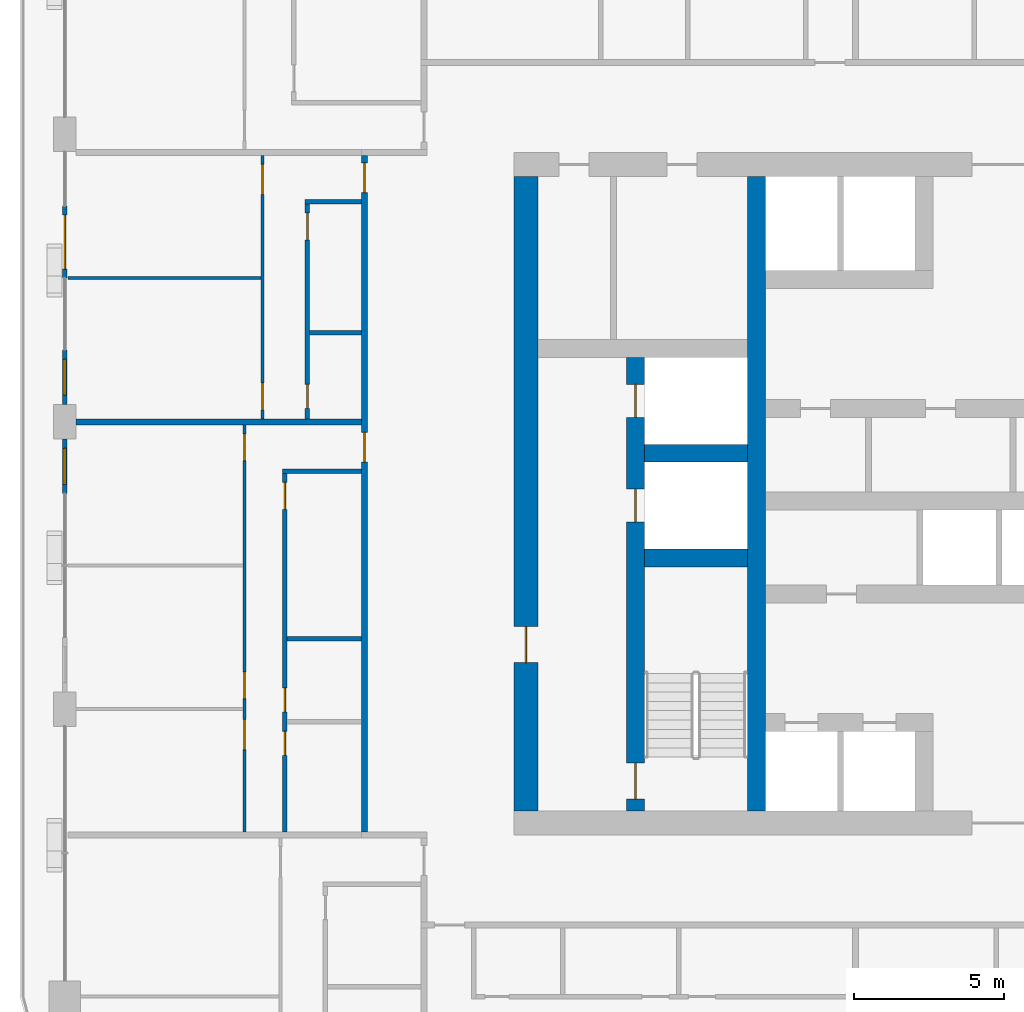
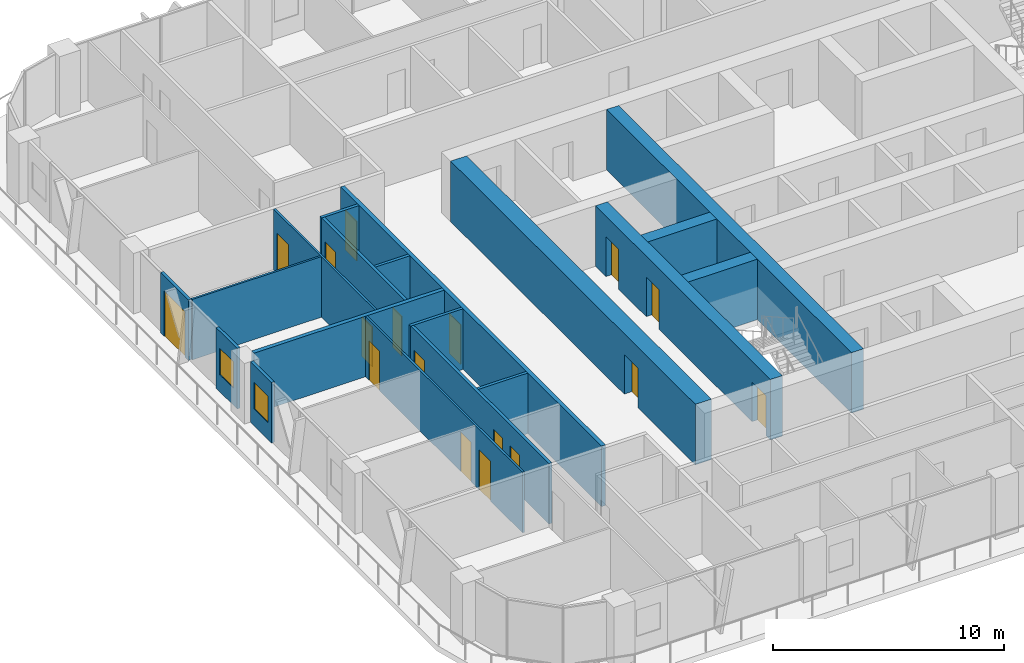
# One storey, part 10 of 22: 19 walls, 17 doors, 2 windows, 19 openings.
"""IFC4 building model written with IfcOpenShell, lengths in metres."""

from ifc_helpers import new_model, si_unit, direction, frame, frame_2d, origin, place, context, subcontext, project, spatial, rectangle, extrude, material, layer, layer_set, type_object, element, fill, save


model = new_model("IFC4")

# Units and contexts
model_context = context("Model", 3, precision=1e-05, world=origin(), true_north=direction((0.0, 1.0)))
body_context = subcontext(model_context, "Body", "Model", "MODEL_VIEW")
ifc_project = project(units=[si_unit("LENGTHUNIT", "METRE"), si_unit("AREAUNIT", "SQUARE_METRE"), si_unit("VOLUMEUNIT", "CUBIC_METRE"), si_unit("PLANEANGLEUNIT", "RADIAN"), si_unit("MASSUNIT", "GRAM", prefix="KILO")], contexts=[model_context])

# Site, building, storey
site_placement = place(None, origin())
site = spatial("IfcSite", under=ifc_project, at=site_placement, CompositionType="ELEMENT")
building_placement = place(site_placement, origin())
building = spatial("IfcBuilding", under=site, at=building_placement, Name="Madar Terraces", CompositionType="ELEMENT")
storey_placement = place(building_placement, frame((0.0, 0.0, 126.10009765625)))
storey = spatial("IfcBuildingStorey", under=building, at=storey_placement, Name="L32", CompositionType="ELEMENT", Elevation=126.10009765625)

# Wall, openings, doors
ifc_material_1 = material(Name="Concrete C70/85", Category="concrete")
ifc_layer_1 = layer(ifc_material_1, 0.60009765625)
ifc_layer_set_1 = layer_set([ifc_layer_1], Name="Concrete C70/85 (CIW3 RC wall 600)")
wall_type_1 = type_object("IfcWallType", Name="CIW3 RC wall 600", PredefinedType="SHEAR", material=ifc_layer_set_1)
wall_1_placement = place(storey_placement, frame((19.050048828125, 15.800048828125, 0.0), z_axis=(0.0, 0.0, 1.0), x_axis=(0.0, 1.0, 0.0)))
wall_1 = element("IfcWall", 1, at=wall_1_placement, inside=storey, type_object=wall_type_1, Name="CORE SHAFT WALL", PredefinedType="SHEAR", context=body_context, shape_type="SweptSolid", body=[
    extrude(rectangle(XDim=15.14990234375, YDim=0.60009765625, at=frame_2d((7.574951171875, 0.0))), origin(), (0.0, 0.0, 1.0), 3.199951171875),
])
opening_1_placement = place(wall_1_placement, frame((9.64990234375, 0.0, 0.0)))
opening_1 = element("IfcOpeningElement", 2, at=opening_1_placement, cuts=wall_1, Name="Opening LD", PredefinedType="OPENING", context=body_context, shape_type="SweptSolid", body=[
    extrude(rectangle(XDim=1.10009765625, YDim=2.10009765625, at=frame_2d((0.550048828125, 1.050048828125))), frame((0.0, 0.31005859375, 0.0), z_axis=(0.0, -1.0, 0.0), x_axis=(1.0, 0.0, 0.0)), (0.0, 0.0, 1.0), 0.6201171875),
])
opening_2_placement = place(wall_1_placement, frame((13.14990234375, 0.0, 0.0)))
opening_2 = element("IfcOpeningElement", 3, at=opening_2_placement, cuts=wall_1, Name="Opening LD", PredefinedType="OPENING", context=body_context, shape_type="SweptSolid", body=[
    extrude(rectangle(XDim=1.10009765625, YDim=2.10009765625, at=frame_2d((0.550048828125, 1.050048828125))), frame((0.0, 0.31005859375, 0.0), z_axis=(0.0, -1.0, 0.0), x_axis=(1.0, 0.0, 0.0)), (0.0, 0.0, 1.0), 0.6201171875),
])
opening_3_placement = place(wall_1_placement, frame((0.39990234375, 0.0, 0.0)))
opening_3 = element("IfcOpeningElement", 4, at=opening_3_placement, cuts=wall_1, Name="Opening SD1", PredefinedType="OPENING", context=body_context, shape_type="SweptSolid", body=[
    extrude(rectangle(XDim=1.199951171875, YDim=2.10009765625, at=frame_2d((0.60009765625, 1.050048828125))), frame((0.0, 0.31005859375, 0.0), z_axis=(0.0, -1.0, 0.0), x_axis=(1.0, 0.0, 0.0)), (0.0, 0.0, 1.0), 0.6201171875),
])
ifc_material_2 = material(Name="Stainless steel panel", Category="steel")
door_type_1 = type_object("IfcDoorType", Name="Lift landing door 1100 x 2100", OperationType="DOUBLE_DOOR_SLIDING", PredefinedType="DOOR", material=ifc_material_2)
door_1_placement = place(opening_1_placement, origin())
door_1 = element("IfcDoor", 5, at=door_1_placement, inside=storey, type_object=door_type_1, Name="LIFT LANDING DOOR", OperationType="DOUBLE_DOOR_SLIDING", OverallHeight=2.10009765625, OverallWidth=1.10009765625, PredefinedType="DOOR", context=body_context, shape_type="SweptSolid", body=[
    extrude(rectangle(XDim=1.10009765625, YDim=2.10009765625, at=frame_2d((0.550048828125, 1.050048828125))), frame((0.0, 0.02490234375, 0.0), z_axis=(0.0, -1.0, 0.0), x_axis=(1.0, 0.0, 0.0)), (0.0, 0.0, 1.0), 0.050048828125),
])
fill(opening_1, door_1)
door_2_placement = place(opening_2_placement, origin())
door_2 = element("IfcDoor", 6, at=door_2_placement, inside=storey, type_object=door_type_1, Name="LIFT LANDING DOOR", OperationType="DOUBLE_DOOR_SLIDING", OverallHeight=2.10009765625, OverallWidth=1.10009765625, PredefinedType="DOOR", context=body_context, shape_type="SweptSolid", body=[
    extrude(rectangle(XDim=1.10009765625, YDim=2.10009765625, at=frame_2d((0.550048828125, 1.050048828125))), frame((0.0, 0.02490234375, 0.0), z_axis=(0.0, -1.0, 0.0), x_axis=(1.0, 0.0, 0.0)), (0.0, 0.0, 1.0), 0.050048828125),
])
fill(opening_2, door_2)
ifc_material_3 = material(Name="Steel door leaf", Category="steel")
door_type_2 = type_object("IfcDoorType", Name="Stair door 1200 x 2100", OperationType="NOTDEFINED", PredefinedType="DOOR", material=ifc_material_3)
door_3_placement = place(opening_3_placement, frame((1.199951171875, 0.0, 0.0), z_axis=(0.0, 0.0, 1.0), x_axis=(-1.0, 0.0, 0.0)))
door_3 = element("IfcDoor", 7, at=door_3_placement, inside=storey, type_object=door_type_2, Name="STAIR DOOR", OperationType="SINGLE_SWING_RIGHT", OverallHeight=2.10009765625, OverallWidth=1.199951171875, PredefinedType="DOOR", context=body_context, shape_type="SweptSolid", body=[
    extrude(rectangle(XDim=1.199951171875, YDim=2.10009765625, at=frame_2d((0.60009765625, 1.050048828125))), frame((0.0, 0.02490234375, 0.0), z_axis=(0.0, -1.0, 0.0), x_axis=(1.0, 0.0, 0.0)), (0.0, 0.0, 1.0), 0.050048828125),
])
fill(opening_3, door_3)

# Walls
wall_2_placement = place(storey_placement, frame((23.10009765625, 15.800048828125, 0.0), z_axis=(0.0, 0.0, 1.0), x_axis=(0.0, 1.0, 0.0)))
element("IfcWall", 8, at=wall_2_placement, inside=storey, type_object=wall_type_1, Name="CORE SHAFT WALL", PredefinedType="SHEAR", context=body_context, shape_type="SweptSolid", body=[
    extrude(rectangle(XDim=21.199951171875, YDim=0.60009765625, at=frame_2d((10.60009765625, 0.0))), origin(), (0.0, 0.0, 1.0), 3.199951171875),
])
for number, where, z_axis, x_axis, name in (
    (9, (19.35009765625, 24.25, 0.0), (0.0, 0.0, 1.0), (1.0, 0.0, 0.0), "CORE SHAFT WALL"),
    (10, (19.35009765625, 27.75, 0.0), (0.0, 0.0, 1.0), (1.0, 0.0, 0.0), "CORE SHAFT WALL"),
):
    element("IfcWall", number, at=place(storey_placement, frame(where, z_axis=z_axis, x_axis=x_axis)), inside=storey, type_object=wall_type_1, Name=name, PredefinedType="SHEAR", context=body_context, shape_type="SweptSolid", body=[
        extrude(rectangle(XDim=3.449951171875, YDim=0.60009765625, at=frame_2d((1.72509765625, 0.0))), origin(), (0.0, 0.0, 1.0), 3.199951171875),
    ])

# Wall, opening, door
ifc_material_4 = material(Name="Concrete C70/85", Category="concrete")
ifc_layer_2 = layer(ifc_material_4, 0.800048828125)
ifc_layer_set_2 = layer_set([ifc_layer_2], Name="Concrete C70/85 (CRW3 RC wall 800)")
wall_type_2 = type_object("IfcWallType", Name="CRW3 RC wall 800", PredefinedType="SHEAR", material=ifc_layer_set_2)
wall_3_placement = place(storey_placement, frame((15.39990234375, 15.800048828125, 0.0), z_axis=(0.0, 0.0, 1.0), x_axis=(0.0, 1.0, 0.0)))
wall_3 = element("IfcWall", 11, at=wall_3_placement, inside=storey, type_object=wall_type_2, Name="CORE OUTER WALL", PredefinedType="SHEAR", context=body_context, shape_type="SweptSolid", body=[
    extrude(rectangle(XDim=21.199951171875, YDim=0.800048828125, at=frame_2d((10.60009765625, 0.0))), origin(), (0.0, 0.0, 1.0), 3.199951171875),
])
opening_4_placement = place(wall_3_placement, frame((4.9599609375, 0.0, 0.0)))
opening_4 = element("IfcOpeningElement", 12, at=opening_4_placement, cuts=wall_3, Name="Opening SD1", PredefinedType="OPENING", context=body_context, shape_type="SweptSolid", body=[
    extrude(rectangle(XDim=1.199951171875, YDim=2.10009765625, at=frame_2d((0.60009765625, 1.050048828125))), frame((0.0, 0.409912109375, 0.0), z_axis=(0.0, -1.0, 0.0), x_axis=(1.0, 0.0, 0.0)), (0.0, 0.0, 1.0), 0.820068359375),
])
door_4_placement = place(opening_4_placement, frame((1.199951171875, 0.0, 0.0), z_axis=(0.0, 0.0, 1.0), x_axis=(-1.0, 0.0, 0.0)))
door_4 = element("IfcDoor", 13, at=door_4_placement, inside=storey, type_object=door_type_2, Name="STAIR DOOR", OperationType="SINGLE_SWING_LEFT", OverallHeight=2.10009765625, OverallWidth=1.199951171875, PredefinedType="DOOR", context=body_context, shape_type="SweptSolid", body=[
    extrude(rectangle(XDim=1.199951171875, YDim=2.10009765625, at=frame_2d((0.60009765625, 1.050048828125))), frame((0.0, 0.02490234375, 0.0), z_axis=(0.0, -1.0, 0.0), x_axis=(1.0, 0.0, 0.0)), (0.0, 0.0, 1.0), 0.050048828125),
])
fill(opening_4, door_4)

ifc_material_5 = material(Name="Aluminium composite panel, black, over insulated backing", Category="aluminium")
ifc_layer_3 = layer(ifc_material_5, 0.14990234375)
ifc_layer_set_3 = layer_set([ifc_layer_3], Name="Facade bay panel 150")
wall_type_3 = type_object("IfcWallType", Name="Facade bay panel 150", PredefinedType="SOLIDWALL", material=ifc_layer_set_3)
wall_4_placement = place(storey_placement, frame((0.0, 36.0, 0.0), z_axis=(0.0, 0.0, 1.0), x_axis=(0.0, -1.0, 0.0)))
wall_4 = element("IfcWall", 14, at=wall_4_placement, inside=storey, type_object=wall_type_3, Name="Facade bay panel", PredefinedType="SOLIDWALL", context=body_context, shape_type="SweptSolid", body=[
    extrude(rectangle(XDim=2.39990234375, YDim=0.14990234375, at=frame_2d((1.199951171875, 0.0))), origin(), (0.0, 0.0, 1.0), 3.199951171875),
])
opening_5_placement = place(wall_4_placement, frame((0.300048828125, 0.0, 0.0)))
opening_5 = element("IfcOpeningElement", 15, at=opening_5_placement, cuts=wall_4, Name="Opening ED1", PredefinedType="OPENING", context=body_context, shape_type="SweptSolid", body=[
    extrude(rectangle(XDim=1.800048828125, YDim=2.39990234375, at=frame_2d((0.89990234375, 1.199951171875))), frame((0.0, 0.0849609375, 0.0), z_axis=(0.0, -1.0, 0.0), x_axis=(1.0, 0.0, 0.0)), (0.0, 0.0, 1.0), 0.169921875),
])
ifc_material_6 = material(Name="Glass, clear, with black aluminium frame", Category="aluminium")
door_type_3 = type_object("IfcDoorType", Name="Balcony and terrace sliding door 1800 x 2400", OperationType="SLIDING_TO_LEFT", PredefinedType="DOOR", material=ifc_material_6)
door_5_placement = place(opening_5_placement, origin())
door_5 = element("IfcDoor", 16, at=door_5_placement, inside=storey, type_object=door_type_3, Name="Balcony door", OperationType="SLIDING_TO_LEFT", OverallHeight=2.39990234375, OverallWidth=1.800048828125, PredefinedType="DOOR", context=body_context, shape_type="SweptSolid", body=[
    extrude(rectangle(XDim=1.800048828125, YDim=2.39990234375, at=frame_2d((0.89990234375, 1.199951171875))), frame((0.0, 0.02490234375, 0.0), z_axis=(0.0, -1.0, 0.0), x_axis=(1.0, 0.0, 0.0)), (0.0, 0.0, 1.0), 0.050048828125),
])
fill(opening_5, door_5)

# Wall, opening, window
wall_5_placement = place(storey_placement, frame((0.0, 31.199951171875, 0.0), z_axis=(0.0, 0.0, 1.0), x_axis=(0.0, -1.0, 0.0)))
wall_5 = element("IfcWall", 17, at=wall_5_placement, inside=storey, type_object=wall_type_3, Name="Facade bay panel", PredefinedType="SOLIDWALL", context=body_context, shape_type="SweptSolid", body=[
    extrude(rectangle(XDim=1.824951171875, YDim=0.14990234375, at=frame_2d((0.91259765625, 0.0))), origin(), (0.0, 0.0, 1.0), 3.199951171875),
])
opening_6_placement = place(wall_5_placement, frame((0.3125, 0.0, 0.89990234375)))
opening_6 = element("IfcOpeningElement", 18, at=opening_6_placement, cuts=wall_5, Name="Opening W1", PredefinedType="OPENING", context=body_context, shape_type="SweptSolid", body=[
    extrude(rectangle(XDim=1.199951171875, YDim=1.39990234375, at=frame_2d((0.60009765625, 0.699951171875))), frame((0.0, 0.0849609375, 0.0), z_axis=(0.0, -1.0, 0.0), x_axis=(1.0, 0.0, 0.0)), (0.0, 0.0, 1.0), 0.169921875),
])
ifc_material_7 = material(Name="Glass, clear, with black aluminium frame", Category="aluminium")
window_type = type_object("IfcWindowType", Name="Vent window 1200 x 1400", PartitioningType="SINGLE_PANEL", PredefinedType="WINDOW", material=ifc_material_7)
window_1_placement = place(opening_6_placement, origin())
window_1 = element("IfcWindow", 19, at=window_1_placement, inside=storey, type_object=window_type, Name="Operable vent window", OverallHeight=1.39990234375, OverallWidth=1.199951171875, PartitioningType="SINGLE_PANEL", PredefinedType="WINDOW", context=body_context, shape_type="SweptSolid", body=[
    extrude(rectangle(XDim=1.199951171875, YDim=1.39990234375, at=frame_2d((0.60009765625, 0.699951171875))), frame((0.0, 0.030029296875, 0.0), z_axis=(0.0, -1.0, 0.0), x_axis=(1.0, 0.0, 0.0)), (0.0, 0.0, 1.0), 0.06005859375),
])
fill(opening_6, window_1)

wall_6_placement = place(storey_placement, frame((0.0, 28.22509765625, 0.0), z_axis=(0.0, 0.0, 1.0), x_axis=(0.0, -1.0, 0.0)))
wall_6 = element("IfcWall", 20, at=wall_6_placement, inside=storey, type_object=wall_type_3, Name="Facade bay panel", PredefinedType="SOLIDWALL", context=body_context, shape_type="SweptSolid", body=[
    extrude(rectangle(XDim=1.8251953125, YDim=0.14990234375, at=frame_2d((0.91259765625, 0.0))), origin(), (0.0, 0.0, 1.0), 3.199951171875),
])
opening_7_placement = place(wall_6_placement, frame((0.3125, 0.0, 0.89990234375)))
opening_7 = element("IfcOpeningElement", 21, at=opening_7_placement, cuts=wall_6, Name="Opening W1", PredefinedType="OPENING", context=body_context, shape_type="SweptSolid", body=[
    extrude(rectangle(XDim=1.199951171875, YDim=1.39990234375, at=frame_2d((0.60009765625, 0.699951171875))), frame((0.0, 0.0849609375, 0.0), z_axis=(0.0, -1.0, 0.0), x_axis=(1.0, 0.0, 0.0)), (0.0, 0.0, 1.0), 0.169921875),
])
window_2_placement = place(opening_7_placement, origin())
window_2 = element("IfcWindow", 22, at=window_2_placement, inside=storey, type_object=window_type, Name="Operable vent window", OverallHeight=1.39990234375, OverallWidth=1.199951171875, PartitioningType="SINGLE_PANEL", PredefinedType="WINDOW", context=body_context, shape_type="SweptSolid", body=[
    extrude(rectangle(XDim=1.199951171875, YDim=1.39990234375, at=frame_2d((0.60009765625, 0.699951171875))), frame((0.0, 0.030029296875, 0.0), z_axis=(0.0, -1.0, 0.0), x_axis=(1.0, 0.0, 0.0)), (0.0, 0.0, 1.0), 0.06005859375),
])
fill(opening_7, window_2)

# Wall
ifc_material_8 = material(Name="Gypsum board on steel studs", Category="steel")
ifc_layer_4 = layer(ifc_material_8, 0.10009765625)
ifc_layer_set_4 = layer_set([ifc_layer_4], Name="Flat partition 100")
wall_type_4 = type_object("IfcWallType", Name="Flat partition 100", PredefinedType="PARTITIONING", material=ifc_layer_set_4)
wall_7_placement = place(storey_placement, frame((6.550048828125, 33.60009765625, 0.0), z_axis=(0.0, 0.0, 1.0), x_axis=(-1.0, 0.0, 0.0)))
element("IfcWall", 23, at=wall_7_placement, inside=storey, type_object=wall_type_4, Name="Flat partition 100", PredefinedType="PARTITIONING", context=body_context, shape_type="SweptSolid", body=[
    extrude(rectangle(XDim=6.449951171875, YDim=0.10009765625, at=frame_2d((3.22509765625, 0.0))), origin(), (0.0, 0.0, 1.0), 3.199951171875),
])

# Wall, openings, doors
wall_8_placement = place(storey_placement, frame((6.60009765625, 28.89990234375, 0.0), z_axis=(0.0, 0.0, 1.0), x_axis=(0.0, 1.0, 0.0)))
wall_8 = element("IfcWall", 24, at=wall_8_placement, inside=storey, type_object=wall_type_4, Name="Flat partition 100", PredefinedType="PARTITIONING", context=body_context, shape_type="SweptSolid", body=[
    extrude(rectangle(XDim=8.800048828125, YDim=0.10009765625, at=frame_2d((4.39990234375, 0.0))), origin(), (0.0, 0.0, 1.0), 3.199951171875),
])
opening_8_placement = place(wall_8_placement, frame((7.5, 0.0, 0.0)))
opening_8 = element("IfcOpeningElement", 25, at=opening_8_placement, cuts=wall_8, Name="Opening D3", PredefinedType="OPENING", context=body_context, shape_type="SweptSolid", body=[
    extrude(rectangle(XDim=1.0, YDim=2.10009765625, at=frame_2d((0.5, 1.050048828125))), frame((0.0, 0.06005859375, 0.0), z_axis=(0.0, -1.0, 0.0), x_axis=(1.0, 0.0, 0.0)), (0.0, 0.0, 1.0), 0.1201171875),
])
opening_9_placement = place(wall_8_placement, frame((0.300048828125, 0.0, 0.0)))
opening_9 = element("IfcOpeningElement", 26, at=opening_9_placement, cuts=wall_8, Name="Opening D2", PredefinedType="OPENING", context=body_context, shape_type="SweptSolid", body=[
    extrude(rectangle(XDim=0.89990234375, YDim=2.10009765625, at=frame_2d((0.449951171875, 1.050048828125))), frame((0.0, 0.06005859375, 0.0), z_axis=(0.0, -1.0, 0.0), x_axis=(1.0, 0.0, 0.0)), (0.0, 0.0, 1.0), 0.1201171875),
])
ifc_material_9 = material(Name="Timber door leaf", Category="wood")
door_type_4 = type_object("IfcDoorType", Name="Flat living room door 1000", OperationType="NOTDEFINED", PredefinedType="DOOR", material=ifc_material_9)
door_6_placement = place(opening_8_placement, origin())
door_6 = element("IfcDoor", 27, at=door_6_placement, inside=storey, type_object=door_type_4, Name="Flat living room door 1000", OperationType="SINGLE_SWING_RIGHT", OverallHeight=2.10009765625, OverallWidth=1.0, PredefinedType="DOOR", context=body_context, shape_type="SweptSolid", body=[
    extrude(rectangle(XDim=1.0, YDim=2.10009765625, at=frame_2d((0.5, 1.050048828125))), frame((0.0, 0.02490234375, 0.0), z_axis=(0.0, -1.0, 0.0), x_axis=(1.0, 0.0, 0.0)), (0.0, 0.0, 1.0), 0.050048828125),
])
fill(opening_8, door_6)
ifc_material_10 = material(Name="Timber door leaf", Category="wood")
door_type_5 = type_object("IfcDoorType", Name="Flat room door 900", OperationType="NOTDEFINED", PredefinedType="DOOR", material=ifc_material_10)
door_7_placement = place(opening_9_placement, origin())
door_7 = element("IfcDoor", 28, at=door_7_placement, inside=storey, type_object=door_type_5, Name="Flat room door 900", OperationType="SINGLE_SWING_LEFT", OverallHeight=2.10009765625, OverallWidth=0.89990234375, PredefinedType="DOOR", context=body_context, shape_type="SweptSolid", body=[
    extrude(rectangle(XDim=0.89990234375, YDim=2.10009765625, at=frame_2d((0.449951171875, 1.050048828125))), frame((0.0, 0.02490234375, 0.0), z_axis=(0.0, -1.0, 0.0), x_axis=(1.0, 0.0, 0.0)), (0.0, 0.0, 1.0), 0.050048828125),
])
fill(opening_9, door_7)

wall_9_placement = place(storey_placement, frame((6.0, 15.10009765625, 0.0), z_axis=(0.0, 0.0, 1.0), x_axis=(0.0, 1.0, 0.0)))
wall_9 = element("IfcWall", 29, at=wall_9_placement, inside=storey, type_object=wall_type_4, Name="Flat partition 100", PredefinedType="PARTITIONING", context=body_context, shape_type="SweptSolid", body=[
    extrude(rectangle(XDim=13.599853515625, YDim=0.10009765625, at=frame_2d((6.7998046875, 0.0))), origin(), (0.0, 0.0, 1.0), 3.199951171875),
])
opening_10_placement = place(wall_9_placement, frame((12.39990234375, 0.0, 0.0)))
opening_10 = element("IfcOpeningElement", 30, at=opening_10_placement, cuts=wall_9, Name="Opening D2", PredefinedType="OPENING", context=body_context, shape_type="SweptSolid", body=[
    extrude(rectangle(XDim=0.89990234375, YDim=2.10009765625, at=frame_2d((0.449951171875, 1.050048828125))), frame((0.0, 0.06005859375, 0.0), z_axis=(0.0, -1.0, 0.0), x_axis=(1.0, 0.0, 0.0)), (0.0, 0.0, 1.0), 0.1201171875),
])
opening_11_placement = place(wall_9_placement, frame((4.449951171875, 0.0, 0.0)))
opening_11 = element("IfcOpeningElement", 31, at=opening_11_placement, cuts=wall_9, Name="Opening D2", PredefinedType="OPENING", context=body_context, shape_type="SweptSolid", body=[
    extrude(rectangle(XDim=0.89990234375, YDim=2.10009765625, at=frame_2d((0.449951171875, 1.050048828125))), frame((0.0, 0.06005859375, 0.0), z_axis=(0.0, -1.0, 0.0), x_axis=(1.0, 0.0, 0.0)), (0.0, 0.0, 1.0), 0.1201171875),
])
opening_12_placement = place(wall_9_placement, frame((2.75, 0.0, 0.0)))
opening_12 = element("IfcOpeningElement", 32, at=opening_12_placement, cuts=wall_9, Name="Opening D3", PredefinedType="OPENING", context=body_context, shape_type="SweptSolid", body=[
    extrude(rectangle(XDim=1.0, YDim=2.10009765625, at=frame_2d((0.5, 1.050048828125))), frame((0.0, 0.06005859375, 0.0), z_axis=(0.0, -1.0, 0.0), x_axis=(1.0, 0.0, 0.0)), (0.0, 0.0, 1.0), 0.1201171875),
])
door_8_placement = place(opening_12_placement, origin())
door_8 = element("IfcDoor", 33, at=door_8_placement, inside=storey, type_object=door_type_4, Name="Flat living room door 1000", OperationType="SINGLE_SWING_RIGHT", OverallHeight=2.10009765625, OverallWidth=1.0, PredefinedType="DOOR", context=body_context, shape_type="SweptSolid", body=[
    extrude(rectangle(XDim=1.0, YDim=2.10009765625, at=frame_2d((0.5, 1.050048828125))), frame((0.0, 0.02490234375, 0.0), z_axis=(0.0, -1.0, 0.0), x_axis=(1.0, 0.0, 0.0)), (0.0, 0.0, 1.0), 0.050048828125),
])
fill(opening_12, door_8)
door_9_placement = place(opening_10_placement, origin())
door_9 = element("IfcDoor", 34, at=door_9_placement, inside=storey, type_object=door_type_5, Name="Flat room door 900", OperationType="SINGLE_SWING_RIGHT", OverallHeight=2.10009765625, OverallWidth=0.89990234375, PredefinedType="DOOR", context=body_context, shape_type="SweptSolid", body=[
    extrude(rectangle(XDim=0.89990234375, YDim=2.10009765625, at=frame_2d((0.449951171875, 1.050048828125))), frame((0.0, 0.02490234375, 0.0), z_axis=(0.0, -1.0, 0.0), x_axis=(1.0, 0.0, 0.0)), (0.0, 0.0, 1.0), 0.050048828125),
])
fill(opening_10, door_9)
door_10_placement = place(opening_11_placement, origin())
door_10 = element("IfcDoor", 35, at=door_10_placement, inside=storey, type_object=door_type_5, Name="Flat room door 900", OperationType="SINGLE_SWING_LEFT", OverallHeight=2.10009765625, OverallWidth=0.89990234375, PredefinedType="DOOR", context=body_context, shape_type="SweptSolid", body=[
    extrude(rectangle(XDim=0.89990234375, YDim=2.10009765625, at=frame_2d((0.449951171875, 1.050048828125))), frame((0.0, 0.02490234375, 0.0), z_axis=(0.0, -1.0, 0.0), x_axis=(1.0, 0.0, 0.0)), (0.0, 0.0, 1.0), 0.050048828125),
])
fill(opening_11, door_10)

ifc_material_11 = material(Name="Lightweight blockwork", Category="masonry")
ifc_layer_5 = layer(ifc_material_11, 0.199951171875)
ifc_layer_set_5 = layer_set([ifc_layer_5], Name="Flat party and entrance wall 200")
wall_type_5 = type_object("IfcWallType", Name="Flat party and entrance wall 200", PredefinedType="PARTITIONING", material=ifc_layer_set_5)
wall_10_placement = place(storey_placement, frame((10.0, 15.10009765625, 0.0), z_axis=(0.0, 0.0, 1.0), x_axis=(0.0, 1.0, 0.0)))
wall_10 = element("IfcWall", 36, at=wall_10_placement, inside=storey, type_object=wall_type_5, Name="Flat party and entrance wall 200", PredefinedType="PARTITIONING", context=body_context, shape_type="SweptSolid", body=[
    extrude(rectangle(XDim=22.599853515625, YDim=0.199951171875, at=frame_2d((11.2998046875, 0.0))), origin(), (0.0, 0.0, 1.0), 3.199951171875),
])
opening_13_placement = place(wall_10_placement, frame((21.35009765625, 0.0, 0.0)))
opening_13 = element("IfcOpeningElement", 37, at=opening_13_placement, cuts=wall_10, Name="Opening D1", PredefinedType="OPENING", context=body_context, shape_type="SweptSolid", body=[
    extrude(rectangle(XDim=1.0, YDim=2.10009765625, at=frame_2d((0.5, 1.050048828125))), frame((0.0, 0.10986328125, 0.0), z_axis=(0.0, -1.0, 0.0), x_axis=(1.0, 0.0, 0.0)), (0.0, 0.0, 1.0), 0.219970703125),
])
opening_14_placement = place(wall_10_placement, frame((12.35009765625, 0.0, 0.0)))
opening_14 = element("IfcOpeningElement", 38, at=opening_14_placement, cuts=wall_10, Name="Opening D1", PredefinedType="OPENING", context=body_context, shape_type="SweptSolid", body=[
    extrude(rectangle(XDim=1.0, YDim=2.10009765625, at=frame_2d((0.5, 1.050048828125))), frame((0.0, 0.10986328125, 0.0), z_axis=(0.0, -1.0, 0.0), x_axis=(1.0, 0.0, 0.0)), (0.0, 0.0, 1.0), 0.219970703125),
])
ifc_material_12 = material(Name="Timber fire door leaf", Category="wood")
door_type_6 = type_object("IfcDoorType", Name="Flat entrance door 1000 FD30S", OperationType="NOTDEFINED", PredefinedType="DOOR", material=ifc_material_12)
door_11_placement = place(opening_13_placement, origin())
door_11 = element("IfcDoor", 39, at=door_11_placement, inside=storey, type_object=door_type_6, Name="Flat entrance door 1000 FD30S", OperationType="SINGLE_SWING_RIGHT", OverallHeight=2.10009765625, OverallWidth=1.0, PredefinedType="DOOR", context=body_context, shape_type="SweptSolid", body=[
    extrude(rectangle(XDim=1.0, YDim=2.10009765625, at=frame_2d((0.5, 1.050048828125))), frame((0.0, 0.02490234375, 0.0), z_axis=(0.0, -1.0, 0.0), x_axis=(1.0, 0.0, 0.0)), (0.0, 0.0, 1.0), 0.050048828125),
])
fill(opening_13, door_11)
door_12_placement = place(opening_14_placement, origin())
door_12 = element("IfcDoor", 40, at=door_12_placement, inside=storey, type_object=door_type_6, Name="Flat entrance door 1000 FD30S", OperationType="SINGLE_SWING_RIGHT", OverallHeight=2.10009765625, OverallWidth=1.0, PredefinedType="DOOR", context=body_context, shape_type="SweptSolid", body=[
    extrude(rectangle(XDim=1.0, YDim=2.10009765625, at=frame_2d((0.5, 1.050048828125))), frame((0.0, 0.02490234375, 0.0), z_axis=(0.0, -1.0, 0.0), x_axis=(1.0, 0.0, 0.0)), (0.0, 0.0, 1.0), 0.050048828125),
])
fill(opening_14, door_12)

# Walls
wall_11_placement = place(storey_placement, frame((0.375, 28.800048828125, 0.0), z_axis=(0.0, 0.0, 1.0), x_axis=(1.0, 0.0, 0.0)))
element("IfcWall", 41, at=wall_11_placement, inside=storey, type_object=wall_type_5, Name="Flat party and entrance wall 200", PredefinedType="PARTITIONING", context=body_context, shape_type="SweptSolid", body=[
    extrude(rectangle(XDim=9.52490234375, YDim=0.199951171875, at=frame_2d((4.762451171875, 0.0))), origin(), (0.0, 0.0, 1.0), 3.199951171875),
])
ifc_material_13 = material(Name="Lightweight blockwork", Category="masonry")
ifc_layer_6 = layer(ifc_material_13, 0.14990234375)
ifc_layer_set_6 = layer_set([ifc_layer_6], Name="Flat wet-room partition 150")
wall_type_6 = type_object("IfcWallType", Name="Flat wet-room partition 150", PredefinedType="PARTITIONING", material=ifc_layer_set_6)
wall_12_placement = place(storey_placement, frame((9.89990234375, 31.77001953125, 0.0), z_axis=(0.0, 0.0, 1.0), x_axis=(-1.0, 0.0, 0.0)))
element("IfcWall", 42, at=wall_12_placement, inside=storey, type_object=wall_type_6, Name="Flat wet-room partition 150", PredefinedType="PARTITIONING", context=body_context, shape_type="SweptSolid", body=[
    extrude(rectangle(XDim=1.724853515625, YDim=0.14990234375, at=frame_2d((0.8623046875, 0.0))), origin(), (0.0, 0.0, 1.0), 3.199951171875),
])
wall_13_placement = place(storey_placement, frame((9.89990234375, 36.14990234375, 0.0), z_axis=(0.0, 0.0, 1.0), x_axis=(-1.0, 0.0, 0.0)))
element("IfcWall", 43, at=wall_13_placement, inside=storey, type_object=wall_type_6, Name="Flat wet-room partition 150", PredefinedType="PARTITIONING", context=body_context, shape_type="SweptSolid", body=[
    extrude(rectangle(XDim=1.875, YDim=0.14990234375, at=frame_2d((0.9375, 0.0))), origin(), (0.0, 0.0, 1.0), 3.199951171875),
])

# Wall, openings, doors
wall_14_placement = place(storey_placement, frame((8.10009765625, 36.074951171875, 0.0), z_axis=(0.0, 0.0, 1.0), x_axis=(0.0, -1.0, 0.0)))
wall_14 = element("IfcWall", 44, at=wall_14_placement, inside=storey, type_object=wall_type_6, Name="Flat wet-room partition 150", PredefinedType="PARTITIONING", context=body_context, shape_type="SweptSolid", body=[
    extrude(rectangle(XDim=7.175048828125, YDim=0.14990234375, at=frame_2d((3.58740234375, 0.0))), origin(), (0.0, 0.0, 1.0), 3.199951171875),
])
opening_15_placement = place(wall_14_placement, frame((0.300048828125, 0.0, 0.0)))
opening_15 = element("IfcOpeningElement", 45, at=opening_15_placement, cuts=wall_14, Name="Opening D2", PredefinedType="OPENING", context=body_context, shape_type="SweptSolid", body=[
    extrude(rectangle(XDim=0.89990234375, YDim=2.10009765625, at=frame_2d((0.449951171875, 1.050048828125))), frame((0.0, 0.0849609375, 0.0), z_axis=(0.0, -1.0, 0.0), x_axis=(1.0, 0.0, 0.0)), (0.0, 0.0, 1.0), 0.169921875),
])
opening_16_placement = place(wall_14_placement, frame((6.02490234375, 0.0, 0.0)))
opening_16 = element("IfcOpeningElement", 46, at=opening_16_placement, cuts=wall_14, Name="Opening D4", PredefinedType="OPENING", context=body_context, shape_type="SweptSolid", body=[
    extrude(rectangle(XDim=0.800048828125, YDim=2.10009765625, at=frame_2d((0.39990234375, 1.050048828125))), frame((0.0, 0.0849609375, 0.0), z_axis=(0.0, -1.0, 0.0), x_axis=(1.0, 0.0, 0.0)), (0.0, 0.0, 1.0), 0.169921875),
])
ifc_material_14 = material(Name="Timber door leaf", Category="wood")
door_type_7 = type_object("IfcDoorType", Name="Flat bathroom door 800", OperationType="NOTDEFINED", PredefinedType="DOOR", material=ifc_material_14)
door_13_placement = place(opening_16_placement, origin())
door_13 = element("IfcDoor", 47, at=door_13_placement, inside=storey, type_object=door_type_7, Name="Flat bathroom door 800", OperationType="SINGLE_SWING_RIGHT", OverallHeight=2.10009765625, OverallWidth=0.800048828125, PredefinedType="DOOR", context=body_context, shape_type="SweptSolid", body=[
    extrude(rectangle(XDim=0.800048828125, YDim=2.10009765625, at=frame_2d((0.39990234375, 1.050048828125))), frame((0.0, 0.02490234375, 0.0), z_axis=(0.0, -1.0, 0.0), x_axis=(1.0, 0.0, 0.0)), (0.0, 0.0, 1.0), 0.050048828125),
])
fill(opening_16, door_13)
door_14_placement = place(opening_15_placement, origin())
door_14 = element("IfcDoor", 48, at=door_14_placement, inside=storey, type_object=door_type_5, Name="Flat room door 900", OperationType="SINGLE_SWING_LEFT", OverallHeight=2.10009765625, OverallWidth=0.89990234375, PredefinedType="DOOR", context=body_context, shape_type="SweptSolid", body=[
    extrude(rectangle(XDim=0.89990234375, YDim=2.10009765625, at=frame_2d((0.449951171875, 1.050048828125))), frame((0.0, 0.02490234375, 0.0), z_axis=(0.0, -1.0, 0.0), x_axis=(1.0, 0.0, 0.0)), (0.0, 0.0, 1.0), 0.050048828125),
])
fill(opening_15, door_14)

# Walls
wall_15_placement = place(storey_placement, frame((9.89990234375, 21.548095703125, 0.0), z_axis=(0.0, 0.0, 1.0), x_axis=(-1.0, 0.0, 0.0)))
element("IfcWall", 49, at=wall_15_placement, inside=storey, type_object=wall_type_6, Name="Flat wet-room partition 150", PredefinedType="PARTITIONING", context=body_context, shape_type="SweptSolid", body=[
    extrude(rectangle(XDim=2.474853515625, YDim=0.14990234375, at=frame_2d((1.2373046875, 0.0))), origin(), (0.0, 0.0, 1.0), 3.199951171875),
])
wall_16_placement = place(storey_placement, frame((9.89990234375, 27.14990234375, 0.0), z_axis=(0.0, 0.0, 1.0), x_axis=(-1.0, 0.0, 0.0)))
element("IfcWall", 50, at=wall_16_placement, inside=storey, type_object=wall_type_6, Name="Flat wet-room partition 150", PredefinedType="PARTITIONING", context=body_context, shape_type="SweptSolid", body=[
    extrude(rectangle(XDim=2.625, YDim=0.14990234375, at=frame_2d((1.3125, 0.0))), origin(), (0.0, 0.0, 1.0), 3.199951171875),
])

# Wall, openings, doors
wall_17_placement = place(storey_placement, frame((7.35009765625, 27.074951171875, 0.0), z_axis=(0.0, 0.0, 1.0), x_axis=(0.0, -1.0, 0.0)))
wall_17 = element("IfcWall", 51, at=wall_17_placement, inside=storey, type_object=wall_type_6, Name="Flat wet-room partition 150", PredefinedType="PARTITIONING", context=body_context, shape_type="SweptSolid", body=[
    extrude(rectangle(XDim=11.974853515625, YDim=0.14990234375, at=frame_2d((5.9873046875, 0.0))), origin(), (0.0, 0.0, 1.0), 3.199951171875),
])
opening_17_placement = place(wall_17_placement, frame((0.300048828125, 0.0, 0.0)))
opening_17 = element("IfcOpeningElement", 52, at=opening_17_placement, cuts=wall_17, Name="Opening D2", PredefinedType="OPENING", context=body_context, shape_type="SweptSolid", body=[
    extrude(rectangle(XDim=0.89990234375, YDim=2.10009765625, at=frame_2d((0.449951171875, 1.050048828125))), frame((0.0, 0.0849609375, 0.0), z_axis=(0.0, -1.0, 0.0), x_axis=(1.0, 0.0, 0.0)), (0.0, 0.0, 1.0), 0.169921875),
])
opening_18_placement = place(wall_17_placement, frame((7.165283203125, 0.0, 0.0)))
opening_18 = element("IfcOpeningElement", 53, at=opening_18_placement, cuts=wall_17, Name="Opening D4", PredefinedType="OPENING", context=body_context, shape_type="SweptSolid", body=[
    extrude(rectangle(XDim=0.800048828125, YDim=2.10009765625, at=frame_2d((0.39990234375, 1.050048828125))), frame((0.0, 0.0849609375, 0.0), z_axis=(0.0, -1.0, 0.0), x_axis=(1.0, 0.0, 0.0)), (0.0, 0.0, 1.0), 0.169921875),
])
opening_19_placement = place(wall_17_placement, frame((8.615478515625, 0.0, 0.0)))
opening_19 = element("IfcOpeningElement", 54, at=opening_19_placement, cuts=wall_17, Name="Opening D4", PredefinedType="OPENING", context=body_context, shape_type="SweptSolid", body=[
    extrude(rectangle(XDim=0.800048828125, YDim=2.10009765625, at=frame_2d((0.39990234375, 1.050048828125))), frame((0.0, 0.0849609375, 0.0), z_axis=(0.0, -1.0, 0.0), x_axis=(1.0, 0.0, 0.0)), (0.0, 0.0, 1.0), 0.169921875),
])
door_15_placement = place(opening_18_placement, origin())
door_15 = element("IfcDoor", 55, at=door_15_placement, inside=storey, type_object=door_type_7, Name="Flat bathroom door 800", OperationType="SINGLE_SWING_RIGHT", OverallHeight=2.10009765625, OverallWidth=0.800048828125, PredefinedType="DOOR", context=body_context, shape_type="SweptSolid", body=[
    extrude(rectangle(XDim=0.800048828125, YDim=2.10009765625, at=frame_2d((0.39990234375, 1.050048828125))), frame((0.0, 0.02490234375, 0.0), z_axis=(0.0, -1.0, 0.0), x_axis=(1.0, 0.0, 0.0)), (0.0, 0.0, 1.0), 0.050048828125),
])
fill(opening_18, door_15)
door_16_placement = place(opening_19_placement, origin())
door_16 = element("IfcDoor", 56, at=door_16_placement, inside=storey, type_object=door_type_7, Name="Flat bathroom door 800", OperationType="SINGLE_SWING_LEFT", OverallHeight=2.10009765625, OverallWidth=0.800048828125, PredefinedType="DOOR", context=body_context, shape_type="SweptSolid", body=[
    extrude(rectangle(XDim=0.800048828125, YDim=2.10009765625, at=frame_2d((0.39990234375, 1.050048828125))), frame((0.0, 0.02490234375, 0.0), z_axis=(0.0, -1.0, 0.0), x_axis=(1.0, 0.0, 0.0)), (0.0, 0.0, 1.0), 0.050048828125),
])
fill(opening_19, door_16)
door_17_placement = place(opening_17_placement, origin())
door_17 = element("IfcDoor", 57, at=door_17_placement, inside=storey, type_object=door_type_5, Name="Flat room door 900", OperationType="SINGLE_SWING_LEFT", OverallHeight=2.10009765625, OverallWidth=0.89990234375, PredefinedType="DOOR", context=body_context, shape_type="SweptSolid", body=[
    extrude(rectangle(XDim=0.89990234375, YDim=2.10009765625, at=frame_2d((0.449951171875, 1.050048828125))), frame((0.0, 0.02490234375, 0.0), z_axis=(0.0, -1.0, 0.0), x_axis=(1.0, 0.0, 0.0)), (0.0, 0.0, 1.0), 0.050048828125),
])
fill(opening_17, door_17)

save(model, "model.ifc")
